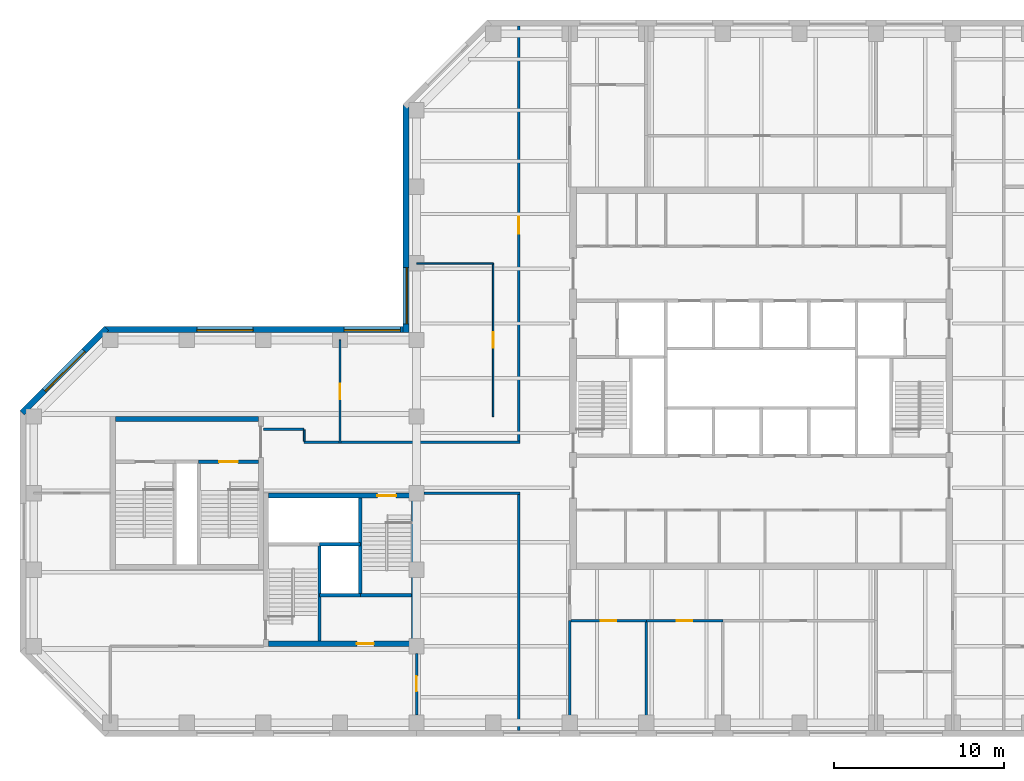
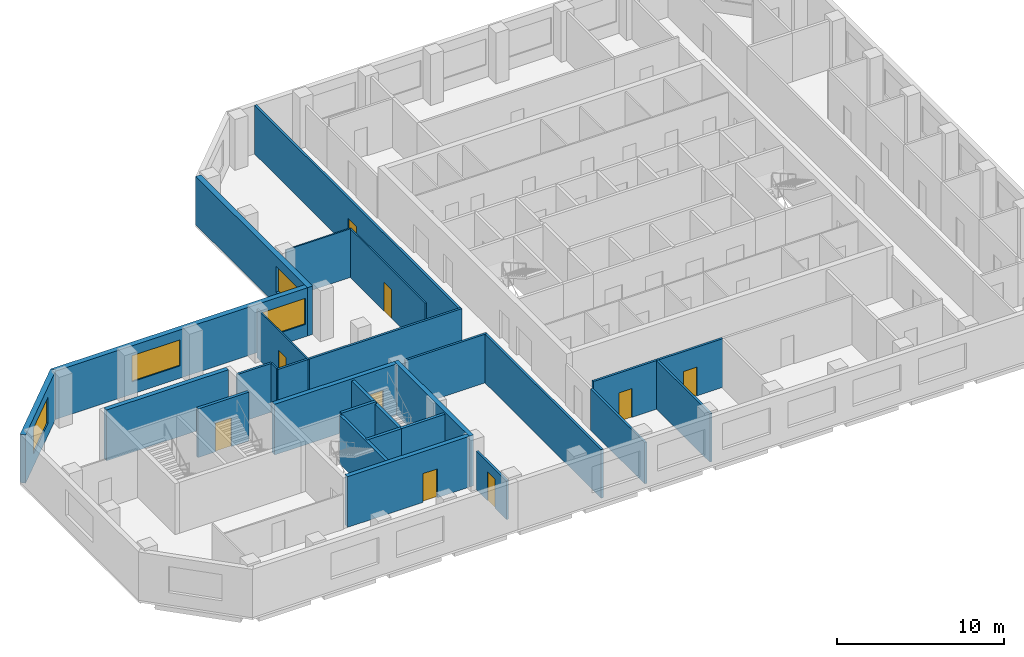
# One storey, part 3 of 9: 27 walls, 9 doors, 4 windows, 13 openings.
"""IFC4 building model written with IfcOpenShell, lengths in metres."""

from ifc_helpers import new_model, si_unit, direction, frame, frame_2d, origin, place, context, subcontext, project, spatial, rectangle, extrude, material, layer, layer_set, constituent, constituent_set, type_object, element, fill, save


model = new_model("IFC4")

# Units and contexts
model_context = context("Model", 3, precision=1e-05, world=origin(), true_north=direction((0.0, 1.0)))
body_context = subcontext(model_context, "Body", "Model", "MODEL_VIEW")
ifc_project = project(units=[si_unit("LENGTHUNIT", "METRE"), si_unit("AREAUNIT", "SQUARE_METRE"), si_unit("VOLUMEUNIT", "CUBIC_METRE"), si_unit("PLANEANGLEUNIT", "RADIAN"), si_unit("MASSUNIT", "GRAM", prefix="KILO")], contexts=[model_context])

# Site, building, storey
site_placement = place(None, origin())
site = spatial("IfcSite", under=ifc_project, at=site_placement, CompositionType="ELEMENT")
building_placement = place(site_placement, origin())
building = spatial("IfcBuilding", under=site, at=building_placement, Name="Quoin Convention Tower", CompositionType="ELEMENT")
storey_placement = place(building_placement, frame((0.0, 0.0, 181.0)))
storey = spatial("IfcBuildingStorey", under=building, at=storey_placement, Name="L47", CompositionType="ELEMENT", Elevation=181.0)

# Wall, opening, door
ifc_material_1 = material(Name="Plasterboard")
ifc_layer_1 = layer(ifc_material_1, 0.012451171875, Name="Finish")
ifc_material_2 = material(Name="Steel stud framing", Category="steel")
ifc_layer_2 = layer(ifc_material_2, 0.125, Name="Structure")
ifc_layer_3 = layer(ifc_material_1, 0.012451171875, Name="Finish")
ifc_layer_set_1 = layer_set([ifc_layer_1, ifc_layer_2, ifc_layer_3], Name="Steel stud framing")
wall_type_1 = type_object("IfcWallType", Name="Acoustic partition 150", PredefinedType="PARTITIONING", material=ifc_layer_set_1)
wall_1_placement = place(storey_placement, frame((45.074951171875, 46.5, 0.0), z_axis=(0.0, 0.0, 1.0), x_axis=(1.0, 0.0, 0.0)))
wall_1 = element("IfcWall", 1, at=wall_1_placement, inside=storey, type_object=wall_type_1, Name="pw-L47-004", PredefinedType="PARTITIONING", context=body_context, shape_type="SweptSolid", body=[
    extrude(rectangle(XDim=4.425048828125, YDim=0.14990234375, at=frame_2d((2.21240234375, 0.0))), origin(), (0.0, 0.0, 1.0), 3.550048828125),
])
opening_1_placement = place(wall_1_placement, frame((1.75, 0.0, 0.0)))
opening_1 = element("IfcOpeningElement", 2, at=opening_1_placement, cuts=wall_1, Name="Opening DOH5-03", PredefinedType="OPENING", context=body_context, shape_type="SweptSolid", body=[
    extrude(rectangle(XDim=0.89990234375, YDim=2.10009765625, at=frame_2d((0.449951171875, 1.050048828125))), frame((0.0, 0.0849609375, 0.0), z_axis=(0.0, -1.0, 0.0), x_axis=(1.0, 0.0, 0.0)), (0.0, 0.0, 1.0), 0.169921875),
])
ifc_material_3 = material(Name="Steel door leaf", Category="steel")
door_type_1 = type_object("IfcDoorType", Name="Office door 900 x 2100", OperationType="SINGLE_SWING_RIGHT", PredefinedType="DOOR", material=ifc_material_3)
door_1_placement = place(opening_1_placement, frame((0.89990234375, 0.0, 0.0), z_axis=(0.0, 0.0, 1.0), x_axis=(-1.0, 0.0, 0.0)))
door_1 = element("IfcDoor", 3, at=door_1_placement, inside=storey, type_object=door_type_1, Name="dr-L47-08", OperationType="SINGLE_SWING_LEFT", OverallHeight=2.10009765625, OverallWidth=0.89990234375, PredefinedType="DOOR", context=body_context, shape_type="SweptSolid", body=[
    extrude(rectangle(XDim=0.89990234375, YDim=2.10009765625, at=frame_2d((0.449951171875, 1.050048828125))), frame((0.0, 0.02490234375, 0.0), z_axis=(0.0, -1.0, 0.0), x_axis=(1.0, 0.0, 0.0)), (0.0, 0.0, 1.0), 0.050048828125),
])
fill(opening_1, door_1)

wall_2_placement = place(storey_placement, frame((49.5, 46.5, 0.0), z_axis=(0.0, 0.0, 1.0), x_axis=(1.0, 0.0, 0.0)))
wall_2 = element("IfcWall", 4, at=wall_2_placement, inside=storey, type_object=wall_type_1, Name="pw-L47-005", PredefinedType="PARTITIONING", context=body_context, shape_type="SweptSolid", body=[
    extrude(rectangle(XDim=4.5, YDim=0.14990234375, at=frame_2d((2.25, 0.0))), origin(), (0.0, 0.0, 1.0), 3.550048828125),
])
opening_2_placement = place(wall_2_placement, frame((1.800048828125, 0.0, 0.0)))
opening_2 = element("IfcOpeningElement", 5, at=opening_2_placement, cuts=wall_2, Name="Opening DOH5-04", PredefinedType="OPENING", context=body_context, shape_type="SweptSolid", body=[
    extrude(rectangle(XDim=0.89990234375, YDim=2.10009765625, at=frame_2d((0.449951171875, 1.050048828125))), frame((0.0, 0.0849609375, 0.0), z_axis=(0.0, -1.0, 0.0), x_axis=(1.0, 0.0, 0.0)), (0.0, 0.0, 1.0), 0.169921875),
])
door_2_placement = place(opening_2_placement, frame((0.89990234375, 0.0, 0.0), z_axis=(0.0, 0.0, 1.0), x_axis=(-1.0, 0.0, 0.0)))
door_2 = element("IfcDoor", 6, at=door_2_placement, inside=storey, type_object=door_type_1, Name="dr-L47-09", OperationType="SINGLE_SWING_LEFT", OverallHeight=2.10009765625, OverallWidth=0.89990234375, PredefinedType="DOOR", context=body_context, shape_type="SweptSolid", body=[
    extrude(rectangle(XDim=0.89990234375, YDim=2.10009765625, at=frame_2d((0.449951171875, 1.050048828125))), frame((0.0, 0.02490234375, 0.0), z_axis=(0.0, -1.0, 0.0), x_axis=(1.0, 0.0, 0.0)), (0.0, 0.0, 1.0), 0.050048828125),
])
fill(opening_2, door_2)

# Wall
wall_3_placement = place(storey_placement, frame((49.5, 40.050048828125, 0.0), z_axis=(0.0, 0.0, 1.0), x_axis=(0.0, 1.0, 0.0)))
element("IfcWall", 7, at=wall_3_placement, inside=storey, type_object=wall_type_1, Name="pw-L47-028", PredefinedType="PARTITIONING", context=body_context, shape_type="SweptSolid", body=[
    extrude(rectangle(XDim=6.375, YDim=0.14990234375, at=frame_2d((3.1875, 0.0))), origin(), (0.0, 0.0, 1.0), 3.550048828125),
])

# Wall, opening, window
ifc_material_4 = material(Name="Brick masonry", Category="masonry")
ifc_layer_4 = layer(ifc_material_4, 0.35009765625)
ifc_layer_set_2 = layer_set([ifc_layer_4], Name="Brick masonry")
wall_type_2 = type_object("IfcWallType", Name="Brick facade wall", PredefinedType="STANDARD", material=ifc_layer_set_2)
wall_4_placement = place(storey_placement, frame((35.375, 76.831298828125, 0.0), z_axis=(0.0, 0.0, 1.0), x_axis=(0.0, -1.0, 0.0)))
wall_4 = element("IfcWall", 8, at=wall_4_placement, inside=storey, type_object=wall_type_2, Name="fw-L47-36000_76500", PredefinedType="STANDARD", context=body_context, shape_type="SweptSolid", body=[
    extrude(rectangle(XDim=13.38134765625, YDim=0.35009765625, at=frame_2d((6.690673828125, 0.0))), origin(), (0.0, 0.0, 1.0), 3.52490234375),
])
opening_3_placement = place(wall_4_placement, frame((9.581298828125, 0.0, 0.89990234375)))
opening_3 = element("IfcOpeningElement", 9, at=opening_3_placement, cuts=wall_4, Name="Opening W-02", PredefinedType="OPENING", context=body_context, shape_type="SweptSolid", body=[
    extrude(rectangle(XDim=3.300048828125, YDim=1.89990234375, at=frame_2d((1.64990234375, 0.949951171875))), frame((0.0, 0.18505859375, 0.0), z_axis=(0.0, -1.0, 0.0), x_axis=(1.0, 0.0, 0.0)), (0.0, 0.0, 1.0), 0.3701171875),
])
ifc_material_5 = material(Name="Aluminium", Category="aluminium")
ifc_constituent_1 = constituent(ifc_material_5, Name="Frame")
ifc_material_6 = material(Name="Insulated glass", Category="glass")
ifc_constituent_2 = constituent(ifc_material_6, Name="Glazing")
ifc_constituent_set = constituent_set(constituents=[ifc_constituent_1, ifc_constituent_2], Name="Aluminium")
window_type = type_object("IfcWindowType", Name="Office window", PartitioningType="DOUBLE_PANEL_VERTICAL", PredefinedType="WINDOW", material=ifc_constituent_set)
window_1_placement = place(opening_3_placement, origin())
window_1 = element("IfcWindow", 10, at=window_1_placement, inside=storey, type_object=window_type, Name="win-L47-35375_65250", OverallHeight=1.89990234375, OverallWidth=3.300048828125, PartitioningType="SINGLE_PANEL", PredefinedType="WINDOW", context=body_context, shape_type="SweptSolid", body=[
    extrude(rectangle(XDim=3.300048828125, YDim=1.89990234375, at=frame_2d((1.64990234375, 0.949951171875))), frame((0.0, 0.0849609375, 0.0), z_axis=(0.0, -1.0, 0.0), x_axis=(1.0, 0.0, 0.0)), (0.0, 0.0, 1.0), 0.06005859375),
])
fill(opening_3, window_1)

# Wall, openings, windows
wall_5_placement = place(storey_placement, frame((35.550048828125, 63.625, 0.0), z_axis=(0.0, 0.0, 1.0), x_axis=(-1.0, 0.0, 0.0)))
wall_5 = element("IfcWall", 11, at=wall_5_placement, inside=storey, type_object=wall_type_2, Name="fw-L47-36000_63000", PredefinedType="STANDARD", context=body_context, shape_type="SweptSolid", body=[
    extrude(rectangle(XDim=17.88134765625, YDim=0.35009765625, at=frame_2d((8.940673828125, 0.0))), origin(), (0.0, 0.0, 1.0), 3.52490234375),
])
opening_4_placement = place(wall_5_placement, frame((0.5, 0.0, 0.89990234375)))
opening_4 = element("IfcOpeningElement", 12, at=opening_4_placement, cuts=wall_5, Name="Opening W-02", PredefinedType="OPENING", context=body_context, shape_type="SweptSolid", body=[
    extrude(rectangle(XDim=3.300048828125, YDim=1.89990234375, at=frame_2d((1.64990234375, 0.949951171875))), frame((0.0, 0.18505859375, 0.0), z_axis=(0.0, -1.0, 0.0), x_axis=(1.0, 0.0, 0.0)), (0.0, 0.0, 1.0), 0.3701171875),
])
opening_5_placement = place(wall_5_placement, frame((9.14990234375, 0.0, 0.89990234375)))
opening_5 = element("IfcOpeningElement", 13, at=opening_5_placement, cuts=wall_5, Name="Opening W-02", PredefinedType="OPENING", context=body_context, shape_type="SweptSolid", body=[
    extrude(rectangle(XDim=3.300048828125, YDim=1.89990234375, at=frame_2d((1.64990234375, 0.949951171875))), frame((0.0, 0.18505859375, 0.0), z_axis=(0.0, -1.0, 0.0), x_axis=(1.0, 0.0, 0.0)), (0.0, 0.0, 1.0), 0.3701171875),
])
window_2_placement = place(opening_4_placement, origin())
window_2 = element("IfcWindow", 14, at=window_2_placement, inside=storey, type_object=window_type, Name="win-L47-33750_63625", OverallHeight=1.89990234375, OverallWidth=3.300048828125, PartitioningType="SINGLE_PANEL", PredefinedType="WINDOW", context=body_context, shape_type="SweptSolid", body=[
    extrude(rectangle(XDim=3.300048828125, YDim=1.89990234375, at=frame_2d((1.64990234375, 0.949951171875))), frame((0.0, 0.0849609375, 0.0), z_axis=(0.0, -1.0, 0.0), x_axis=(1.0, 0.0, 0.0)), (0.0, 0.0, 1.0), 0.06005859375),
])
fill(opening_4, window_2)
window_3_placement = place(opening_5_placement, origin())
window_3 = element("IfcWindow", 15, at=window_3_placement, inside=storey, type_object=window_type, Name="win-L47-24750_63625", OverallHeight=1.89990234375, OverallWidth=3.300048828125, PartitioningType="SINGLE_PANEL", PredefinedType="WINDOW", context=body_context, shape_type="SweptSolid", body=[
    extrude(rectangle(XDim=3.300048828125, YDim=1.89990234375, at=frame_2d((1.64990234375, 0.949951171875))), frame((0.0, 0.0849609375, 0.0), z_axis=(0.0, -1.0, 0.0), x_axis=(1.0, 0.0, 0.0)), (0.0, 0.0, 1.0), 0.06005859375),
])
fill(opening_5, window_3)

# Wall, opening, window
wall_6_placement = place(storey_placement, frame((17.79248046875, 63.67626953125, 0.0), z_axis=(0.0, 0.0, 1.0), x_axis=(-0.707106781187, -0.707106781187, 0.0)))
wall_6 = element("IfcWall", 16, at=wall_6_placement, inside=storey, type_object=wall_type_2, Name="fw-L47-18000_63000", PredefinedType="STANDARD", context=body_context, shape_type="SweptSolid", body=[
    extrude(rectangle(XDim=7.02685546875, YDim=0.35009765625, at=frame_2d((3.513427734375, 0.0))), origin(), (0.0, 0.0, 1.0), 3.52490234375),
])
opening_6_placement = place(wall_6_placement, frame((1.86328125, 0.0, 0.89990234375)))
opening_6 = element("IfcOpeningElement", 17, at=opening_6_placement, cuts=wall_6, Name="Opening W-02", PredefinedType="OPENING", context=body_context, shape_type="SweptSolid", body=[
    extrude(rectangle(XDim=3.300048828125, YDim=1.89990234375, at=frame_2d((1.64990234375, 0.949951171875))), frame((0.0, 0.18505859375, 0.0), z_axis=(0.0, -1.0, 0.0), x_axis=(1.0, 0.0, 0.0)), (0.0, 0.0, 1.0), 0.3701171875),
])
window_4_placement = place(opening_6_placement, origin())
window_4 = element("IfcWindow", 18, at=window_4_placement, inside=storey, type_object=window_type, Name="win-L47-15308_61192", OverallHeight=1.89990234375, OverallWidth=3.300048828125, PartitioningType="SINGLE_PANEL", PredefinedType="WINDOW", context=body_context, shape_type="SweptSolid", body=[
    extrude(rectangle(XDim=3.300048828125, YDim=1.89990234375, at=frame_2d((1.64990234375, 0.949951171875))), frame((0.0, 0.0849609375, 0.0), z_axis=(0.0, -1.0, 0.0), x_axis=(1.0, 0.0, 0.0)), (0.0, 0.0, 1.0), 0.06005859375),
])
fill(opening_6, window_4)

# Walls
ifc_material_7 = material(Name="Concrete C50", Category="concrete")
ifc_layer_5 = layer(ifc_material_7, 0.199951171875)
ifc_layer_set_3 = layer_set([ifc_layer_5], Name="Concrete C50")
wall_type_3 = type_object("IfcWallType", Name="Core shaft wall", PredefinedType="SOLIDWALL", material=ifc_layer_set_3)
wall_7_placement = place(storey_placement, frame((30.300048828125, 48.0, 0.0), z_axis=(0.0, 0.0, 1.0), x_axis=(1.0, 0.0, 0.0)))
element("IfcWall", 19, at=wall_7_placement, inside=storey, type_object=wall_type_3, Name="cr-P2-L47-h3000_3300", PredefinedType="SOLIDWALL", context=body_context, shape_type="SweptSolid", body=[
    extrude(rectangle(XDim=2.39990234375, YDim=0.199951171875, at=frame_2d((1.199951171875, 0.0))), origin(), (0.0, 0.0, 1.0), 3.550048828125),
])
wall_8_placement = place(storey_placement, frame((32.699951171875, 48.0, 0.0), z_axis=(0.0, 0.0, 1.0), x_axis=(1.0, 0.0, 0.0)))
element("IfcWall", 20, at=wall_8_placement, inside=storey, type_object=wall_type_3, Name="cr-P2-L47-h3000_5700", PredefinedType="SOLIDWALL", context=body_context, shape_type="SweptSolid", body=[
    extrude(rectangle(XDim=3.0, YDim=0.199951171875, at=frame_2d((1.5, 0.0))), origin(), (0.0, 0.0, 1.0), 3.550048828125),
])
for number, where, z_axis, x_axis, name in (
    (21, (30.300048828125, 45.300048828125, 0.0), (0.0, 0.0, 1.0), (0.0, 1.0, 0.0), "cr-P2-L47-v3300_300"),
    (22, (32.699951171875, 48.0, 0.0), (0.0, 0.0, 1.0), (0.0, 1.0, 0.0), "cr-P2-L47-v5700_3000"),
):
    element("IfcWall", number, at=place(storey_placement, frame(where, z_axis=z_axis, x_axis=x_axis)), inside=storey, type_object=wall_type_3, Name=name, PredefinedType="SOLIDWALL", context=body_context, shape_type="SweptSolid", body=[
        extrude(rectangle(XDim=5.699951171875, YDim=0.199951171875, at=frame_2d((2.85009765625, 0.0))), origin(), (0.0, 0.0, 1.0), 3.550048828125),
    ])

# Wall, opening, door
wall_9_placement = place(storey_placement, frame((23.199951171875, 55.85009765625, 0.0), z_axis=(0.0, 0.0, 1.0), x_axis=(1.0, 0.0, 0.0)))
wall_9 = element("IfcWall", 23, at=wall_9_placement, inside=storey, type_object=wall_type_3, Name="cr-P6-L47-h6350_5200", PredefinedType="SOLIDWALL", context=body_context, shape_type="SweptSolid", body=[
    extrude(rectangle(XDim=3.5, YDim=0.199951171875, at=frame_2d((1.75, 0.0))), origin(), (0.0, 0.0, 1.0), 3.550048828125),
])
opening_7_placement = place(wall_9_placement, frame((1.199951171875, 0.0, 0.0)))
opening_7 = element("IfcOpeningElement", 24, at=opening_7_placement, cuts=wall_9, Name="Opening SD12", PredefinedType="OPENING", context=body_context, shape_type="SweptSolid", body=[
    extrude(rectangle(XDim=1.10009765625, YDim=2.10009765625, at=frame_2d((0.550048828125, 1.050048828125))), frame((0.0, 0.10986328125, 0.0), z_axis=(0.0, -1.0, 0.0), x_axis=(1.0, 0.0, 0.0)), (0.0, 0.0, 1.0), 0.219970703125),
])
door_type_2 = type_object("IfcDoorType", Name="Stair door 1100 x 2100", OperationType="SINGLE_SWING_RIGHT", PredefinedType="DOOR", material=ifc_material_3)
door_3_placement = place(opening_7_placement, origin())
door_3 = element("IfcDoor", 25, at=door_3_placement, inside=storey, type_object=door_type_2, Name="cd-P6-L47-SB-R2-SD12", OperationType="SINGLE_SWING_RIGHT", OverallHeight=2.10009765625, OverallWidth=1.10009765625, PredefinedType="DOOR", context=body_context, shape_type="SweptSolid", body=[
    extrude(rectangle(XDim=1.10009765625, YDim=2.10009765625, at=frame_2d((0.550048828125, 1.050048828125))), frame((0.0, 0.02490234375, 0.0), z_axis=(0.0, -1.0, 0.0), x_axis=(1.0, 0.0, 0.0)), (0.0, 0.0, 1.0), 0.050048828125),
])
fill(opening_7, door_3)

# Walls
ifc_layer_6 = layer(ifc_material_7, 0.199951171875)
ifc_layer_set_4 = layer_set([ifc_layer_6], Name="Concrete C50")
wall_type_4 = type_object("IfcWallType", Name="Core shaft wall to the floor level over", PredefinedType="SOLIDWALL", material=ifc_layer_set_4)
wall_10_placement = place(storey_placement, frame((30.300048828125, 51.0, 0.0), z_axis=(0.0, 0.0, 1.0), x_axis=(1.0, 0.0, 0.0)))
element("IfcWall", 26, at=wall_10_placement, inside=storey, type_object=wall_type_4, Name="cr-P2-L47-h6000_3300", PredefinedType="SOLIDWALL", context=body_context, shape_type="SweptSolid", body=[
    extrude(rectangle(XDim=2.39990234375, YDim=0.199951171875, at=frame_2d((1.199951171875, 0.0))), origin(), (0.0, 0.0, 1.0), 3.699951171875),
])
ifc_layer_7 = layer(ifc_material_1, 0.012451171875, Name="Finish")
ifc_layer_8 = layer(ifc_material_2, 0.125, Name="Structure")
ifc_layer_9 = layer(ifc_material_1, 0.012451171875, Name="Finish")
ifc_layer_set_5 = layer_set([ifc_layer_7, ifc_layer_8, ifc_layer_9], Name="Steel stud framing")
wall_type_5 = type_object("IfcWallType", Name="Corridor wall 150", PredefinedType="PARTITIONING", material=ifc_layer_set_5)
wall_11_placement = place(storey_placement, frame((36.449951171875, 54.0, 0.0), z_axis=(0.0, 0.0, 1.0), x_axis=(1.0, 0.0, 0.0)))
element("IfcWall", 27, at=wall_11_placement, inside=storey, type_object=wall_type_5, Name="pw-L47-011", PredefinedType="PARTITIONING", context=body_context, shape_type="SweptSolid", body=[
    extrude(rectangle(XDim=5.625, YDim=0.14990234375, at=frame_2d((2.8125, 0.0))), origin(), (0.0, 0.0, 1.0), 3.550048828125),
])
wall_12_placement = place(storey_placement, frame((29.3798828125, 57.0, 0.0), z_axis=(0.0, 0.0, 1.0), x_axis=(1.0, 0.0, 0.0)))
element("IfcWall", 28, at=wall_12_placement, inside=storey, type_object=wall_type_5, Name="pw-L47-013", PredefinedType="PARTITIONING", context=body_context, shape_type="SweptSolid", body=[
    extrude(rectangle(XDim=12.695068359375, YDim=0.14990234375, at=frame_2d((6.34765625, 0.0))), origin(), (0.0, 0.0, 1.0), 3.550048828125),
])
wall_13_placement = place(storey_placement, frame((42.0, 40.050048828125, 0.0), z_axis=(0.0, 0.0, 1.0), x_axis=(0.0, 1.0, 0.0)))
element("IfcWall", 29, at=wall_13_placement, inside=storey, type_object=wall_type_5, Name="pw-L47-026", PredefinedType="PARTITIONING", context=body_context, shape_type="SweptSolid", body=[
    extrude(rectangle(XDim=13.875, YDim=0.14990234375, at=frame_2d((6.9375, 0.0))), origin(), (0.0, 0.0, 1.0), 3.550048828125),
])

# Wall, opening, door
wall_14_placement = place(storey_placement, frame((42.0, 57.074951171875, 0.0), z_axis=(0.0, 0.0, 1.0), x_axis=(0.0, 1.0, 0.0)))
wall_14 = element("IfcWall", 30, at=wall_14_placement, inside=storey, type_object=wall_type_5, Name="pw-L47-045", PredefinedType="PARTITIONING", context=body_context, shape_type="SweptSolid", body=[
    extrude(rectangle(XDim=24.375, YDim=0.14990234375, at=frame_2d((12.1875, 0.0))), origin(), (0.0, 0.0, 1.0), 3.550048828125),
])
opening_8_placement = place(wall_14_placement, frame((12.175048828125, 0.0, 0.0)))
opening_8 = element("IfcOpeningElement", 31, at=opening_8_placement, cuts=wall_14, Name="Opening DOH5-17", PredefinedType="OPENING", context=body_context, shape_type="SweptSolid", body=[
    extrude(rectangle(XDim=1.0, YDim=2.10009765625, at=frame_2d((0.5, 1.050048828125))), frame((0.0, 0.0849609375, 0.0), z_axis=(0.0, -1.0, 0.0), x_axis=(1.0, 0.0, 0.0)), (0.0, 0.0, 1.0), 0.169921875),
])
door_type_3 = type_object("IfcDoorType", Name="Tenancy entrance door 1000 x 2100", OperationType="DOUBLE_DOOR_SINGLE_SWING", PredefinedType="DOOR", material=ifc_material_3)
door_4_placement = place(opening_8_placement, origin())
door_4 = element("IfcDoor", 32, at=door_4_placement, inside=storey, type_object=door_type_3, Name="dr-L47-w01", OperationType="DOUBLE_DOOR_SINGLE_SWING", OverallHeight=2.10009765625, OverallWidth=1.0, PredefinedType="DOOR", context=body_context, shape_type="SweptSolid", body=[
    extrude(rectangle(XDim=1.0, YDim=2.10009765625, at=frame_2d((0.5, 1.050048828125))), frame((0.0, 0.02490234375, 0.0), z_axis=(0.0, -1.0, 0.0), x_axis=(1.0, 0.0, 0.0)), (0.0, 0.0, 1.0), 0.050048828125),
])
fill(opening_8, door_4)

# Walls
wall_15_placement = place(storey_placement, frame((27.0, 57.75, 0.0), z_axis=(0.0, 0.0, 1.0), x_axis=(1.0, 0.0, 0.0)))
element("IfcWall", 33, at=wall_15_placement, inside=storey, type_object=wall_type_5, Name="pw-L47-w07", PredefinedType="PARTITIONING", context=body_context, shape_type="SweptSolid", body=[
    extrude(rectangle(XDim=2.39990234375, YDim=0.14990234375, at=frame_2d((1.199951171875, 0.0))), origin(), (0.0, 0.0, 1.0), 3.550048828125),
])
ifc_layer_10 = layer(ifc_material_1, 0.012451171875, Name="Finish")
ifc_layer_11 = layer(ifc_material_2, 0.125, Name="Structure")
ifc_layer_12 = layer(ifc_material_1, 0.012451171875, Name="Finish")
ifc_layer_set_6 = layer_set([ifc_layer_10, ifc_layer_11, ifc_layer_12], Name="Steel stud framing")
wall_type_6 = type_object("IfcWallType", Name="Corridor wall 150 under beam 528", PredefinedType="PARTITIONING", material=ifc_layer_set_6)
wall_16_placement = place(storey_placement, frame((45.0, 40.050048828125, 0.0), z_axis=(0.0, 0.0, 1.0), x_axis=(0.0, 1.0, 0.0)))
element("IfcWall", 34, at=wall_16_placement, inside=storey, type_object=wall_type_6, Name="pw-L47-027", PredefinedType="PARTITIONING", context=body_context, shape_type="SweptSolid", body=[
    extrude(rectangle(XDim=6.449951171875, YDim=0.14990234375, at=frame_2d((3.22509765625, 0.0))), origin(), (0.0, 0.0, 1.0), 3.02197265625),
])

# Wall, opening, door
ifc_layer_13 = layer(ifc_material_1, 0.012451171875, Name="Finish")
ifc_layer_14 = layer(ifc_material_2, 0.125, Name="Structure")
ifc_layer_15 = layer(ifc_material_1, 0.012451171875, Name="Finish")
ifc_layer_set_7 = layer_set([ifc_layer_13, ifc_layer_14, ifc_layer_15], Name="Steel stud framing")
wall_type_7 = type_object("IfcWallType", Name="Corridor wall 150 under beam 750", PredefinedType="PARTITIONING", material=ifc_layer_set_7)
wall_17_placement = place(storey_placement, frame((36.0, 40.949951171875, 0.0), z_axis=(0.0, 0.0, 1.0), x_axis=(0.0, 1.0, 0.0)))
wall_17 = element("IfcWall", 35, at=wall_17_placement, inside=storey, type_object=wall_type_7, Name="pw-L47-033", PredefinedType="PARTITIONING", context=body_context, shape_type="SweptSolid", body=[
    extrude(rectangle(XDim=3.630126953125, YDim=0.14990234375, at=frame_2d((1.81494140625, 0.0))), origin(), (0.0, 0.0, 1.0), 2.800048828125),
])
opening_9_placement = place(wall_17_placement, frame((1.39990234375, 0.0, 0.0)))
opening_9 = element("IfcOpeningElement", 36, at=opening_9_placement, cuts=wall_17, Name="Opening DOH5-10", PredefinedType="OPENING", context=body_context, shape_type="SweptSolid", body=[
    extrude(rectangle(XDim=0.89990234375, YDim=2.10009765625, at=frame_2d((0.449951171875, 1.050048828125))), frame((0.0, 0.0849609375, 0.0), z_axis=(0.0, -1.0, 0.0), x_axis=(1.0, 0.0, 0.0)), (0.0, 0.0, 1.0), 0.169921875),
])
door_5_placement = place(opening_9_placement, origin())
door_5 = element("IfcDoor", 37, at=door_5_placement, inside=storey, type_object=door_type_1, Name="dr-L47-01", OperationType="SINGLE_SWING_RIGHT", OverallHeight=2.10009765625, OverallWidth=0.89990234375, PredefinedType="DOOR", context=body_context, shape_type="SweptSolid", body=[
    extrude(rectangle(XDim=0.89990234375, YDim=2.10009765625, at=frame_2d((0.449951171875, 1.050048828125))), frame((0.0, 0.02490234375, 0.0), z_axis=(0.0, -1.0, 0.0), x_axis=(1.0, 0.0, 0.0)), (0.0, 0.0, 1.0), 0.050048828125),
])
fill(opening_9, door_5)

ifc_layer_16 = layer(ifc_material_7, 0.300048828125)
ifc_layer_set_8 = layer_set([ifc_layer_16], Name="Concrete C50")
wall_type_8 = type_object("IfcWallType", Name="RC CORE WALL 300 C50", PredefinedType="SHEAR", material=ifc_layer_set_8)
wall_18_placement = place(storey_placement, frame((27.300048828125, 45.14990234375, 0.0), z_axis=(0.0, 0.0, 1.0), x_axis=(1.0, 0.0, 0.0)))
wall_18 = element("IfcWall", 38, at=wall_18_placement, inside=storey, type_object=wall_type_8, Name="cwl-P2-L47-S", PredefinedType="SHEAR", context=body_context, shape_type="SweptSolid", body=[
    extrude(rectangle(XDim=8.39990234375, YDim=0.300048828125, at=frame_2d((4.199951171875, 0.0))), origin(), (0.0, 0.0, 1.0), 3.699951171875),
])
opening_10_placement = place(wall_18_placement, frame((5.199951171875, 0.0, 0.0)))
opening_10 = element("IfcOpeningElement", 39, at=opening_10_placement, cuts=wall_18, Name="Opening DCV4-42", PredefinedType="OPENING", context=body_context, shape_type="SweptSolid", body=[
    extrude(rectangle(XDim=1.0, YDim=2.10009765625, at=frame_2d((0.5, 1.050048828125))), frame((0.0, 0.159912109375, 0.0), z_axis=(0.0, -1.0, 0.0), x_axis=(1.0, 0.0, 0.0)), (0.0, 0.0, 1.0), 0.320068359375),
])
door_type_4 = type_object("IfcDoorType", Name="Service door 1000 x 2100", OperationType="SINGLE_SWING_LEFT", PredefinedType="DOOR", material=ifc_material_3)
door_6_placement = place(opening_10_placement, frame((1.0, 0.0, 0.0), z_axis=(0.0, 0.0, 1.0), x_axis=(-1.0, 0.0, 0.0)))
door_6 = element("IfcDoor", 40, at=door_6_placement, inside=storey, type_object=door_type_4, Name="cd-P2-L47-R2-S", OperationType="SINGLE_SWING_LEFT", OverallHeight=2.10009765625, OverallWidth=1.0, PredefinedType="DOOR", context=body_context, shape_type="SweptSolid", body=[
    extrude(rectangle(XDim=1.0, YDim=2.10009765625, at=frame_2d((0.5, 1.050048828125))), frame((0.0, 0.02490234375, 0.0), z_axis=(0.0, -1.0, 0.0), x_axis=(1.0, 0.0, 0.0)), (0.0, 0.0, 1.0), 0.050048828125),
])
fill(opening_10, door_6)

wall_19_placement = place(storey_placement, frame((27.300048828125, 53.85009765625, 0.0), z_axis=(0.0, 0.0, 1.0), x_axis=(1.0, 0.0, 0.0)))
wall_19 = element("IfcWall", 41, at=wall_19_placement, inside=storey, type_object=wall_type_8, Name="cwl-P2-L47-N", PredefinedType="SHEAR", context=body_context, shape_type="SweptSolid", body=[
    extrude(rectangle(XDim=8.39990234375, YDim=0.300048828125, at=frame_2d((4.199951171875, 0.0))), origin(), (0.0, 0.0, 1.0), 3.699951171875),
])
opening_11_placement = place(wall_19_placement, frame((6.39990234375, 0.0, 0.0)))
opening_11 = element("IfcOpeningElement", 42, at=opening_11_placement, cuts=wall_19, Name="Opening SD4", PredefinedType="OPENING", context=body_context, shape_type="SweptSolid", body=[
    extrude(rectangle(XDim=1.10009765625, YDim=2.10009765625, at=frame_2d((0.550048828125, 1.050048828125))), frame((0.0, 0.159912109375, 0.0), z_axis=(0.0, -1.0, 0.0), x_axis=(1.0, 0.0, 0.0)), (0.0, 0.0, 1.0), 0.320068359375),
])
door_7_placement = place(opening_11_placement, frame((1.10009765625, 0.0, 0.0), z_axis=(0.0, 0.0, 1.0), x_axis=(-1.0, 0.0, 0.0)))
door_7 = element("IfcDoor", 43, at=door_7_placement, inside=storey, type_object=door_type_2, Name="cd-P2-L47-SB-N", OperationType="SINGLE_SWING_LEFT", OverallHeight=2.10009765625, OverallWidth=1.10009765625, PredefinedType="DOOR", context=body_context, shape_type="SweptSolid", body=[
    extrude(rectangle(XDim=1.10009765625, YDim=2.10009765625, at=frame_2d((0.550048828125, 1.050048828125))), frame((0.0, 0.02490234375, 0.0), z_axis=(0.0, -1.0, 0.0), x_axis=(1.0, 0.0, 0.0)), (0.0, 0.0, 1.0), 0.050048828125),
])
fill(opening_11, door_7)

# Walls
wall_20_placement = place(storey_placement, frame((35.85009765625, 45.0, 0.0), z_axis=(0.0, 0.0, 1.0), x_axis=(0.0, 1.0, 0.0)))
element("IfcWall", 44, at=wall_20_placement, inside=storey, type_object=wall_type_8, Name="cwl-P2-L47-E", PredefinedType="SHEAR", context=body_context, shape_type="SweptSolid", body=[
    extrude(rectangle(XDim=9.0, YDim=0.300048828125, at=frame_2d((4.5, 0.0))), origin(), (0.0, 0.0, 1.0), 3.699951171875),
])
wall_21_placement = place(storey_placement, frame((18.300048828125, 58.35009765625, 0.0), z_axis=(0.0, 0.0, 1.0), x_axis=(1.0, 0.0, 0.0)))
element("IfcWall", 45, at=wall_21_placement, inside=storey, type_object=wall_type_8, Name="cwl-P6-L47-N", PredefinedType="SHEAR", context=body_context, shape_type="SweptSolid", body=[
    extrude(rectangle(XDim=8.39990234375, YDim=0.300048828125, at=frame_2d((4.199951171875, 0.0))), origin(), (0.0, 0.0, 1.0), 3.699951171875),
])
ifc_layer_17 = layer(ifc_material_1, 0.012451171875, Name="Finish")
ifc_layer_18 = layer(ifc_material_2, 0.074951171875, Name="Structure")
ifc_layer_19 = layer(ifc_material_1, 0.012451171875, Name="Finish")
ifc_layer_set_9 = layer_set([ifc_layer_17, ifc_layer_18, ifc_layer_19], Name="Steel stud framing")
wall_type_9 = type_object("IfcWallType", Name="Stud partition 100", PredefinedType="PARTITIONING", material=ifc_layer_set_9)
wall_22_placement = place(storey_placement, frame((36.0, 67.5, 0.0), z_axis=(0.0, 0.0, 1.0), x_axis=(1.0, 0.0, 0.0)))
element("IfcWall", 46, at=wall_22_placement, inside=storey, type_object=wall_type_9, Name="pw-L47-w01", PredefinedType="PARTITIONING", context=body_context, shape_type="SweptSolid", body=[
    extrude(rectangle(XDim=4.5, YDim=0.10009765625, at=frame_2d((2.25, 0.0))), origin(), (0.0, 0.0, 1.0), 3.550048828125),
])

# Wall, opening, door
wall_23_placement = place(storey_placement, frame((40.5, 67.5, 0.0), z_axis=(0.0, 0.0, 1.0), x_axis=(0.0, -1.0, 0.0)))
wall_23 = element("IfcWall", 47, at=wall_23_placement, inside=storey, type_object=wall_type_9, Name="pw-L47-w02", PredefinedType="PARTITIONING", context=body_context, shape_type="SweptSolid", body=[
    extrude(rectangle(XDim=9.0, YDim=0.10009765625, at=frame_2d((4.5, 0.0))), origin(), (0.0, 0.0, 1.0), 3.550048828125),
])
opening_12_placement = place(wall_23_placement, frame((4.050048828125, 0.0, 0.0)))
opening_12 = element("IfcOpeningElement", 48, at=opening_12_placement, cuts=wall_23, Name="Opening DOH5-23", PredefinedType="OPENING", context=body_context, shape_type="SweptSolid", body=[
    extrude(rectangle(XDim=0.89990234375, YDim=2.10009765625, at=frame_2d((0.449951171875, 1.050048828125))), frame((0.0, 0.06005859375, 0.0), z_axis=(0.0, -1.0, 0.0), x_axis=(1.0, 0.0, 0.0)), (0.0, 0.0, 1.0), 0.1201171875),
])
door_8_placement = place(opening_12_placement, origin())
door_8 = element("IfcDoor", 49, at=door_8_placement, inside=storey, type_object=door_type_1, Name="dr-L47-w02", OperationType="SINGLE_SWING_LEFT", OverallHeight=2.10009765625, OverallWidth=0.89990234375, PredefinedType="DOOR", context=body_context, shape_type="SweptSolid", body=[
    extrude(rectangle(XDim=0.89990234375, YDim=2.10009765625, at=frame_2d((0.449951171875, 1.050048828125))), frame((0.0, 0.02490234375, 0.0), z_axis=(0.0, -1.0, 0.0), x_axis=(1.0, 0.0, 0.0)), (0.0, 0.0, 1.0), 0.050048828125),
])
fill(opening_12, door_8)

wall_24_placement = place(storey_placement, frame((31.5, 63.0, 0.0), z_axis=(0.0, 0.0, 1.0), x_axis=(0.0, -1.0, 0.0)))
wall_24 = element("IfcWall", 50, at=wall_24_placement, inside=storey, type_object=wall_type_9, Name="pw-L47-w03", PredefinedType="PARTITIONING", context=body_context, shape_type="SweptSolid", body=[
    extrude(rectangle(XDim=6.074951171875, YDim=0.10009765625, at=frame_2d((3.03759765625, 0.0))), origin(), (0.0, 0.0, 1.0), 3.550048828125),
])
opening_13_placement = place(wall_24_placement, frame((2.587890625, 0.0, 0.0)))
opening_13 = element("IfcOpeningElement", 51, at=opening_13_placement, cuts=wall_24, Name="Opening DOH5-24", PredefinedType="OPENING", context=body_context, shape_type="SweptSolid", body=[
    extrude(rectangle(XDim=0.89990234375, YDim=2.10009765625, at=frame_2d((0.449951171875, 1.050048828125))), frame((0.0, 0.06005859375, 0.0), z_axis=(0.0, -1.0, 0.0), x_axis=(1.0, 0.0, 0.0)), (0.0, 0.0, 1.0), 0.1201171875),
])
door_9_placement = place(opening_13_placement, frame((0.89990234375, 0.0, 0.0), z_axis=(0.0, 0.0, 1.0), x_axis=(-1.0, 0.0, 0.0)))
door_9 = element("IfcDoor", 52, at=door_9_placement, inside=storey, type_object=door_type_1, Name="dr-L47-w03", OperationType="SINGLE_SWING_LEFT", OverallHeight=2.10009765625, OverallWidth=0.89990234375, PredefinedType="DOOR", context=body_context, shape_type="SweptSolid", body=[
    extrude(rectangle(XDim=0.89990234375, YDim=2.10009765625, at=frame_2d((0.449951171875, 1.050048828125))), frame((0.0, 0.02490234375, 0.0), z_axis=(0.0, -1.0, 0.0), x_axis=(1.0, 0.0, 0.0)), (0.0, 0.0, 1.0), 0.050048828125),
])
fill(opening_13, door_9)

# Wall
wall_25_placement = place(storey_placement, frame((29.39990234375, 57.715087890625, 0.0), z_axis=(0.0, 0.0, 1.0), x_axis=(0.0, -1.0, 0.0)))
element("IfcWall", 53, at=wall_25_placement, inside=storey, type_object=wall_type_9, Name="pw-L47-w08", PredefinedType="PARTITIONING", context=body_context, shape_type="SweptSolid", body=[
    extrude(rectangle(XDim=0.68017578125, YDim=0.10009765625, at=frame_2d((0.340087890625, 0.0))), origin(), (0.0, 0.0, 1.0), 3.550048828125),
])

save(model, "model.ifc")
